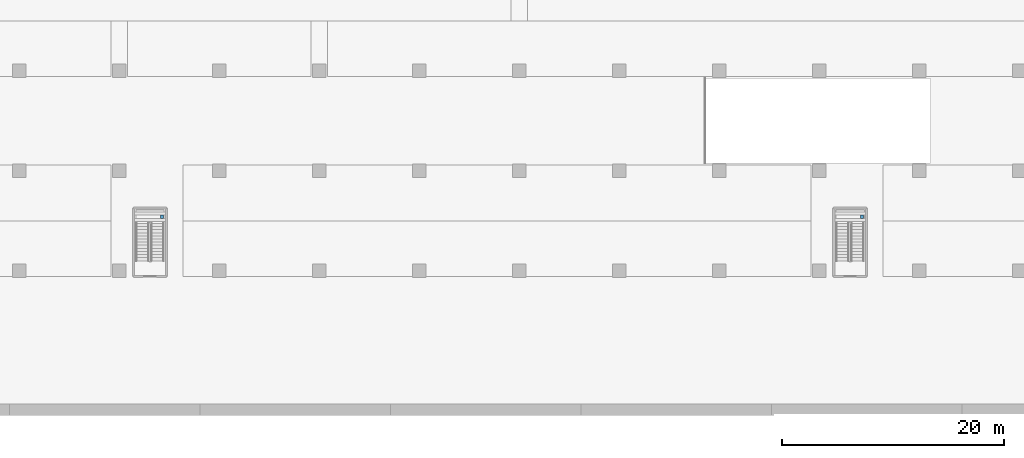
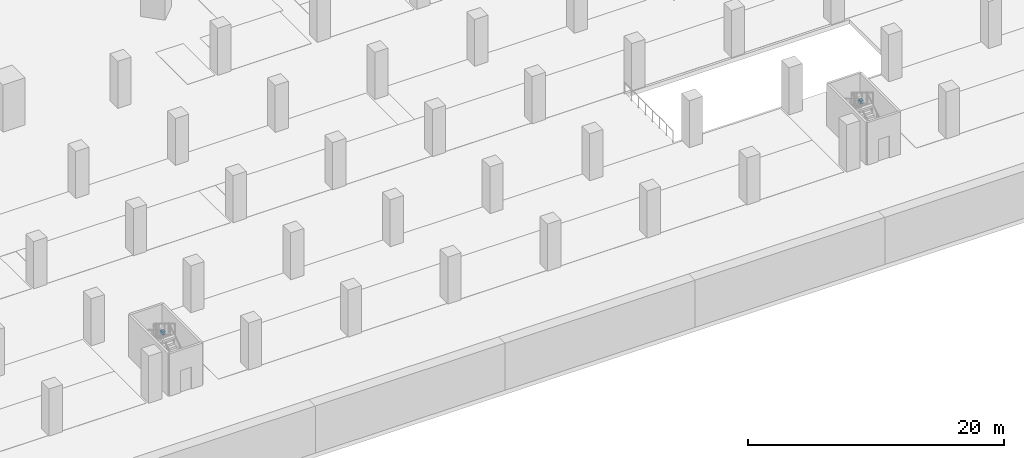
# One storey, part 4 of 34: 2 beams.
"""IFC4 building model written with IfcOpenShell, lengths in metres."""

from ifc_helpers import new_model, si_unit, direction, frame, origin, origin_2d, place, context, subcontext, project, spatial, rectangle, extrude, material, material_profile, profile_set, type_object, element, save


model = new_model("IFC4")

# Units and contexts
model_context = context("Model", 3, precision=1e-05, world=origin(), true_north=direction((0.0, 1.0)))
body_context = subcontext(model_context, "Body", "Model", "MODEL_VIEW")
ifc_project = project(units=[si_unit("LENGTHUNIT", "METRE"), si_unit("AREAUNIT", "SQUARE_METRE"), si_unit("VOLUMEUNIT", "CUBIC_METRE"), si_unit("PLANEANGLEUNIT", "RADIAN"), si_unit("MASSUNIT", "GRAM", prefix="KILO")], contexts=[model_context])

# Site, building, storey
site_placement = place(None, origin())
site = spatial("IfcSite", under=ifc_project, at=site_placement, CompositionType="ELEMENT")
building_placement = place(site_placement, origin())
building = spatial("IfcBuilding", under=site, at=building_placement, Name="Ogive Gate Towers", CompositionType="ELEMENT")
storey_placement = place(building_placement, frame((0.0, 0.0, -4.5)))
storey = spatial("IfcBuildingStorey", under=building, at=storey_placement, Name="B1", CompositionType="ELEMENT", Elevation=-4.5)

# Beams
ifc_material = material(Name="Concrete C40/50", Category="concrete")
ifc_material_profile = material_profile(ifc_material, rectangle(XDim=0.25, YDim=0.300048828125, at=origin_2d()), Name="RC 250x300")
ifc_profile_set = profile_set([ifc_material_profile], Name="Concrete C40/50")
beam_type = type_object("IfcBeamType", Name="Landing bearer RC 250x300 (stair)", PredefinedType="BEAM", material=ifc_profile_set)
for number, where, z_axis, x_axis, name in (
    (1, (30.85009765625, -58.31494140625, 1.89990234375), (0.0, 1.0, 0.0), (-1.0, 0.0, 0.0), "CS7 B1 landing 1 bearer 3"),
    (2, (93.85009765625, -58.31494140625, 1.89990234375), (0.0, 1.0, 0.0), (-1.0, 0.0, 0.0), "CS8 B1 landing 1 bearer 3"),
):
    element("IfcBeam", number, at=place(storey_placement, frame(where, z_axis=z_axis, x_axis=x_axis)), inside=storey, type_object=beam_type, Name=name, PredefinedType="BEAM", context=body_context, shape_type="SweptSolid", body=[
        extrude(rectangle(XDim=0.25, YDim=0.300048828125, at=origin_2d()), origin(), (0.0, 0.0, 1.0), 0.349853515625),
    ])

save(model, "model.ifc")
